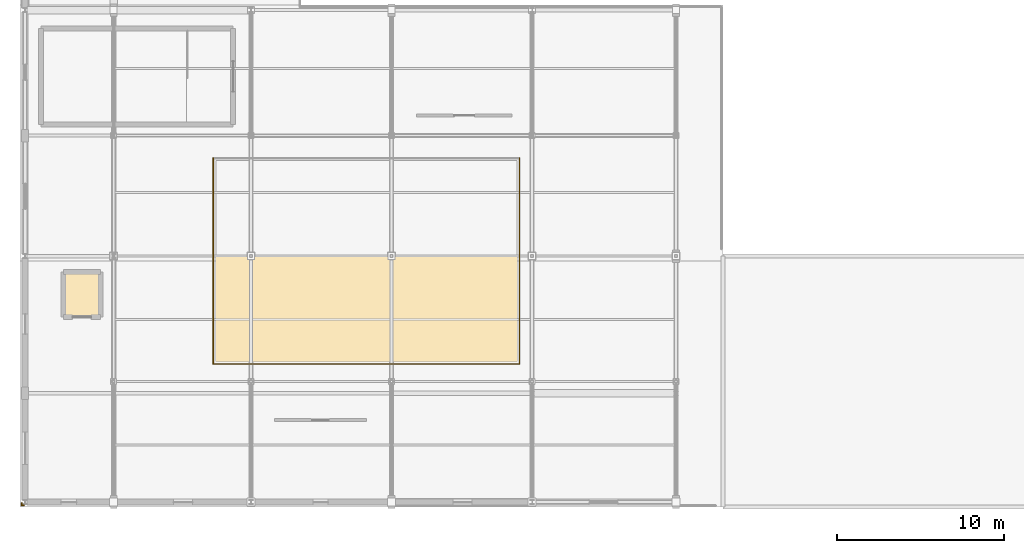
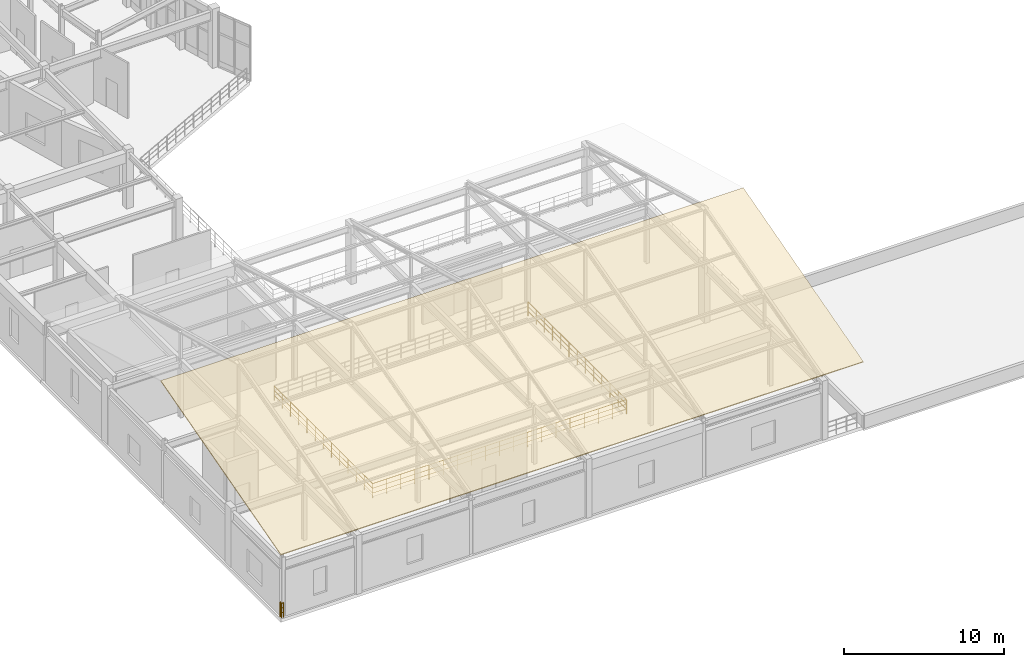
# One storey, part 100 of 112: 5 railings, 1 covering, 1 element without a shape of its own.
"""IFC4 building model written with IfcOpenShell, lengths in metres."""

from ifc_helpers import new_model, si_unit, direction, frame, origin, origin_2d, place, context, subcontext, project, spatial, polyline, circle, outline, extrude, material, layer, layer_set, type_object, element, aggregate, save


model = new_model("IFC4")

# Units and contexts
model_context = context("Model", 3, precision=1e-05, world=origin(), true_north=direction((0.0, 1.0)))
body_context = subcontext(model_context, "Body", "Model", "MODEL_VIEW")
ifc_project = project(units=[si_unit("LENGTHUNIT", "METRE"), si_unit("AREAUNIT", "SQUARE_METRE"), si_unit("VOLUMEUNIT", "CUBIC_METRE"), si_unit("PLANEANGLEUNIT", "RADIAN"), si_unit("MASSUNIT", "GRAM", prefix="KILO")], contexts=[model_context])

# Site, building, storey
site_placement = place(None, origin())
site = spatial("IfcSite", under=ifc_project, at=site_placement, CompositionType="ELEMENT")
building_placement = place(site_placement, origin())
building = spatial("IfcBuilding", under=site, at=building_placement, Name="Cinderbank Siding Concert Hall", CompositionType="ELEMENT")
storey_placement = place(building_placement, frame((0.0, 0.0, 10.199951171875)))
storey = spatial("IfcBuildingStorey", under=building, at=storey_placement, Name="L03", CompositionType="ELEMENT", Elevation=10.199951171875)

# Railings
ifc_material_1 = material(Name="Spotted gum glulam timber GL18 (42 MPa)", Category="wood")
railing_type_1 = type_object("IfcRailingType", Name="BAL-01 Auditorium Tier Balustrade 1120mm", PredefinedType="BALUSTRADE", material=ifc_material_1)
railing_1_placement = place(storey_placement, frame((18.35009765625, 14.35009765625, 0.0)))
element("IfcRailing", 1, at=railing_1_placement, inside=storey, type_object=railing_type_1, Name="L03 CH Gallery Balustrade 0", PredefinedType="BALUSTRADE", context=body_context, shape_type="SweptSolid", body=[
    extrude(circle(Radius=0.02392578125, at=origin_2d()), frame((0.0, 0.0, 1.09619140625), z_axis=(1.0, 0.0, 0.0), x_axis=(0.0, 1.0, 0.0)), (0.0, 0.0, 1.0), 18.2998046875),
    extrude(circle(Radius=0.01611328125, at=origin_2d()), frame((0.0, 0.0, 0.36962890625), z_axis=(1.0, 0.0, 0.0), x_axis=(0.0, 1.0, 0.0)), (0.0, 0.0, 1.0), 18.2998046875),
    extrude(circle(Radius=0.01611328125, at=origin_2d()), frame((0.0, 0.0, 0.7392578125), z_axis=(1.0, 0.0, 0.0), x_axis=(0.0, 1.0, 0.0)), (0.0, 0.0, 1.0), 18.2998046875),
    extrude(circle(Radius=0.02099609375, at=origin_2d()), origin(), (0.0, 0.0, 1.0), 1.072021484375),
    extrude(circle(Radius=0.02099609375, at=origin_2d()), frame((1.0166015625, 0.0, 0.0)), (0.0, 0.0, 1.0), 1.072021484375),
    extrude(circle(Radius=0.02099609375, at=origin_2d()), frame((2.033203125, 0.0, 0.0)), (0.0, 0.0, 1.0), 1.072021484375),
    extrude(circle(Radius=0.02099609375, at=origin_2d()), frame((3.050048828125, 0.0, 0.0)), (0.0, 0.0, 1.0), 1.072021484375),
    extrude(circle(Radius=0.02099609375, at=origin_2d()), frame((4.066650390625, 0.0, 0.0)), (0.0, 0.0, 1.0), 1.072021484375),
    extrude(circle(Radius=0.02099609375, at=origin_2d()), frame((5.083251953125, 0.0, 0.0)), (0.0, 0.0, 1.0), 1.072021484375),
    extrude(circle(Radius=0.02099609375, at=origin_2d()), frame((6.099853515625, 0.0, 0.0)), (0.0, 0.0, 1.0), 1.072021484375),
    extrude(circle(Radius=0.02099609375, at=origin_2d()), frame((7.11669921875, 0.0, 0.0)), (0.0, 0.0, 1.0), 1.072021484375),
    extrude(circle(Radius=0.02099609375, at=origin_2d()), frame((8.13330078125, 0.0, 0.0)), (0.0, 0.0, 1.0), 1.072021484375),
    extrude(circle(Radius=0.02099609375, at=origin_2d()), frame((9.14990234375, 0.0, 0.0)), (0.0, 0.0, 1.0), 1.072021484375),
    extrude(circle(Radius=0.02099609375, at=origin_2d()), frame((10.16650390625, 0.0, 0.0)), (0.0, 0.0, 1.0), 1.072021484375),
    extrude(circle(Radius=0.02099609375, at=origin_2d()), frame((11.18310546875, 0.0, 0.0)), (0.0, 0.0, 1.0), 1.072021484375),
    extrude(circle(Radius=0.02099609375, at=origin_2d()), frame((12.199951171875, 0.0, 0.0)), (0.0, 0.0, 1.0), 1.072021484375),
    extrude(circle(Radius=0.02099609375, at=origin_2d()), frame((13.216552734375, 0.0, 0.0)), (0.0, 0.0, 1.0), 1.072021484375),
    extrude(circle(Radius=0.02099609375, at=origin_2d()), frame((14.233154296875, 0.0, 0.0)), (0.0, 0.0, 1.0), 1.072021484375),
    extrude(circle(Radius=0.02099609375, at=origin_2d()), frame((15.249755859375, 0.0, 0.0)), (0.0, 0.0, 1.0), 1.072021484375),
    extrude(circle(Radius=0.02099609375, at=origin_2d()), frame((16.2666015625, 0.0, 0.0)), (0.0, 0.0, 1.0), 1.072021484375),
    extrude(circle(Radius=0.02099609375, at=origin_2d()), frame((17.283203125, 0.0, 0.0)), (0.0, 0.0, 1.0), 1.072021484375),
    extrude(circle(Radius=0.02099609375, at=origin_2d()), frame((18.2998046875, 0.0, 0.0)), (0.0, 0.0, 1.0), 1.072021484375),
])
railing_2_placement = place(storey_placement, frame((36.64990234375, 14.35009765625, 0.0)))
element("IfcRailing", 2, at=railing_2_placement, inside=storey, type_object=railing_type_1, Name="L03 CH Gallery Balustrade 1", PredefinedType="BALUSTRADE", context=body_context, shape_type="SweptSolid", body=[
    extrude(circle(Radius=0.02392578125, at=origin_2d()), frame((0.0, 0.0, 1.09619140625), z_axis=(0.0, 1.0, 0.0), x_axis=(-1.0, 0.0, 0.0)), (0.0, 0.0, 1.0), 12.2998046875),
    extrude(circle(Radius=0.01611328125, at=origin_2d()), frame((0.0, 0.0, 0.36962890625), z_axis=(0.0, 1.0, 0.0), x_axis=(-1.0, 0.0, 0.0)), (0.0, 0.0, 1.0), 12.2998046875),
    extrude(circle(Radius=0.01611328125, at=origin_2d()), frame((0.0, 0.0, 0.7392578125), z_axis=(0.0, 1.0, 0.0), x_axis=(-1.0, 0.0, 0.0)), (0.0, 0.0, 1.0), 12.2998046875),
    extrude(circle(Radius=0.02099609375, at=origin_2d()), origin(), (0.0, 0.0, 1.0), 1.072021484375),
    extrude(circle(Radius=0.02099609375, at=origin_2d()), frame((0.0, 1.02490234375, 0.0)), (0.0, 0.0, 1.0), 1.072021484375),
    extrude(circle(Radius=0.02099609375, at=origin_2d()), frame((0.0, 2.050048828125, 0.0)), (0.0, 0.0, 1.0), 1.072021484375),
    extrude(circle(Radius=0.02099609375, at=origin_2d()), frame((0.0, 3.074951171875, 0.0)), (0.0, 0.0, 1.0), 1.072021484375),
    extrude(circle(Radius=0.02099609375, at=origin_2d()), frame((0.0, 4.099853515625, 0.0)), (0.0, 0.0, 1.0), 1.072021484375),
    extrude(circle(Radius=0.02099609375, at=origin_2d()), frame((0.0, 5.125, 0.0)), (0.0, 0.0, 1.0), 1.072021484375),
    extrude(circle(Radius=0.02099609375, at=origin_2d()), frame((0.0, 6.14990234375, 0.0)), (0.0, 0.0, 1.0), 1.072021484375),
    extrude(circle(Radius=0.02099609375, at=origin_2d()), frame((0.0, 7.1748046875, 0.0)), (0.0, 0.0, 1.0), 1.072021484375),
    extrude(circle(Radius=0.02099609375, at=origin_2d()), frame((0.0, 8.199951171875, 0.0)), (0.0, 0.0, 1.0), 1.072021484375),
    extrude(circle(Radius=0.02099609375, at=origin_2d()), frame((0.0, 9.224853515625, 0.0)), (0.0, 0.0, 1.0), 1.072021484375),
    extrude(circle(Radius=0.02099609375, at=origin_2d()), frame((0.0, 10.249755859375, 0.0)), (0.0, 0.0, 1.0), 1.072021484375),
    extrude(circle(Radius=0.02099609375, at=origin_2d()), frame((0.0, 11.27490234375, 0.0)), (0.0, 0.0, 1.0), 1.072021484375),
    extrude(circle(Radius=0.02099609375, at=origin_2d()), frame((0.0, 12.2998046875, 0.0)), (0.0, 0.0, 1.0), 1.072021484375),
])
railing_3_placement = place(storey_placement, frame((18.35009765625, 26.64990234375, 0.0)))
element("IfcRailing", 3, at=railing_3_placement, inside=storey, type_object=railing_type_1, Name="L03 CH Gallery Balustrade 3", PredefinedType="BALUSTRADE", context=body_context, shape_type="SweptSolid", body=[
    extrude(circle(Radius=0.02392578125, at=origin_2d()), frame((0.0, 0.0, 1.09619140625), z_axis=(0.0, -1.0, 0.0), x_axis=(1.0, 0.0, 0.0)), (0.0, 0.0, 1.0), 12.2998046875),
    extrude(circle(Radius=0.01611328125, at=origin_2d()), frame((0.0, 0.0, 0.36962890625), z_axis=(0.0, -1.0, 0.0), x_axis=(1.0, 0.0, 0.0)), (0.0, 0.0, 1.0), 12.2998046875),
    extrude(circle(Radius=0.01611328125, at=origin_2d()), frame((0.0, 0.0, 0.7392578125), z_axis=(0.0, -1.0, 0.0), x_axis=(1.0, 0.0, 0.0)), (0.0, 0.0, 1.0), 12.2998046875),
    extrude(circle(Radius=0.02099609375, at=origin_2d()), origin(), (0.0, 0.0, 1.0), 1.072021484375),
    extrude(circle(Radius=0.02099609375, at=origin_2d()), frame((0.0, -1.02490234375, 0.0)), (0.0, 0.0, 1.0), 1.072021484375),
    extrude(circle(Radius=0.02099609375, at=origin_2d()), frame((0.0, -2.050048828125, 0.0)), (0.0, 0.0, 1.0), 1.072021484375),
    extrude(circle(Radius=0.02099609375, at=origin_2d()), frame((0.0, -3.074951171875, 0.0)), (0.0, 0.0, 1.0), 1.072021484375),
    extrude(circle(Radius=0.02099609375, at=origin_2d()), frame((0.0, -4.099853515625, 0.0)), (0.0, 0.0, 1.0), 1.072021484375),
    extrude(circle(Radius=0.02099609375, at=origin_2d()), frame((0.0, -5.125, 0.0)), (0.0, 0.0, 1.0), 1.072021484375),
    extrude(circle(Radius=0.02099609375, at=origin_2d()), frame((0.0, -6.14990234375, 0.0)), (0.0, 0.0, 1.0), 1.072021484375),
    extrude(circle(Radius=0.02099609375, at=origin_2d()), frame((0.0, -7.1748046875, 0.0)), (0.0, 0.0, 1.0), 1.072021484375),
    extrude(circle(Radius=0.02099609375, at=origin_2d()), frame((0.0, -8.199951171875, 0.0)), (0.0, 0.0, 1.0), 1.072021484375),
    extrude(circle(Radius=0.02099609375, at=origin_2d()), frame((0.0, -9.224853515625, 0.0)), (0.0, 0.0, 1.0), 1.072021484375),
    extrude(circle(Radius=0.02099609375, at=origin_2d()), frame((0.0, -10.249755859375, 0.0)), (0.0, 0.0, 1.0), 1.072021484375),
    extrude(circle(Radius=0.02099609375, at=origin_2d()), frame((0.0, -11.27490234375, 0.0)), (0.0, 0.0, 1.0), 1.072021484375),
    extrude(circle(Radius=0.02099609375, at=origin_2d()), frame((0.0, -12.2998046875, 0.0)), (0.0, 0.0, 1.0), 1.072021484375),
])
ifc_material_2 = material(Name="Structural steel AS/NZS 3679.1 Grade 350 (340 MPa)", Category="steel")
railing_type_2 = type_object("IfcRailingType", Name="GD-01 Terrace & Perimeter Guardrail 1120mm", PredefinedType="GUARDRAIL", material=ifc_material_2)
railing_4_placement = place(storey_placement, frame((7.0458984375, 5.89990234375, 0.0)))
element("IfcRailing", 4, at=railing_4_placement, inside=storey, type_object=railing_type_2, Name="L03 Perimeter Guardrail #80", PredefinedType="GUARDRAIL", context=body_context, shape_type="SweptSolid", body=[
    extrude(circle(Radius=0.02392578125, at=origin_2d()), frame((0.0, 0.0, 1.09619140625), z_axis=(-1.0, 0.0, 0.0), x_axis=(0.0, -1.0, 0.0)), (0.0, 0.0, 1.0), 0.14599609375),
    extrude(circle(Radius=0.01611328125, at=origin_2d()), frame((0.0, 0.0, 0.36962890625), z_axis=(-1.0, 0.0, 0.0), x_axis=(0.0, -1.0, 0.0)), (0.0, 0.0, 1.0), 0.14599609375),
    extrude(circle(Radius=0.01611328125, at=origin_2d()), frame((0.0, 0.0, 0.7392578125), z_axis=(-1.0, 0.0, 0.0), x_axis=(0.0, -1.0, 0.0)), (0.0, 0.0, 1.0), 0.14599609375),
    extrude(circle(Radius=0.02099609375, at=origin_2d()), origin(), (0.0, 0.0, 1.0), 1.072021484375),
    extrude(circle(Radius=0.02099609375, at=origin_2d()), frame((-0.14599609375, 0.0, 0.0)), (0.0, 0.0, 1.0), 1.072021484375),
])
railing_5_placement = place(storey_placement, frame((6.89990234375, 5.89990234375, 0.0)))
element("IfcRailing", 5, at=railing_5_placement, inside=storey, type_object=railing_type_2, Name="L03 Perimeter Guardrail #81", PredefinedType="GUARDRAIL", context=body_context, shape_type="SweptSolid", body=[
    extrude(circle(Radius=0.02392578125, at=origin_2d()), frame((0.0, 0.0, 1.09619140625), z_axis=(0.0, 1.0, 0.0), x_axis=(-1.0, 0.0, 0.0)), (0.0, 0.0, 1.0), 0.14599609375),
    extrude(circle(Radius=0.01611328125, at=origin_2d()), frame((0.0, 0.0, 0.36962890625), z_axis=(0.0, 1.0, 0.0), x_axis=(-1.0, 0.0, 0.0)), (0.0, 0.0, 1.0), 0.14599609375),
    extrude(circle(Radius=0.01611328125, at=origin_2d()), frame((0.0, 0.0, 0.7392578125), z_axis=(0.0, 1.0, 0.0), x_axis=(-1.0, 0.0, 0.0)), (0.0, 0.0, 1.0), 0.14599609375),
    extrude(circle(Radius=0.02099609375, at=origin_2d()), origin(), (0.0, 0.0, 1.0), 1.072021484375),
    extrude(circle(Radius=0.02099609375, at=origin_2d()), frame((0.0, 0.14599609375, 0.0)), (0.0, 0.0, 1.0), 1.072021484375),
])

# Roof, covering
ifc_material_3 = material(Name="Patinated sheet copper roofing", Category="metal")
roof_type = type_object("IfcRoofType", Name="RF-GB1 Chamber Pitched Copper Roof", PredefinedType="GABLE_ROOF", material=ifc_material_3)
roof_placement = place(storey_placement, origin())
roof = element("IfcRoof", 6, at=roof_placement, inside=storey, type_object=roof_type, Name="Chamber Music Hall Pitched Copper Roof", PredefinedType="GABLE_ROOF")
ifc_layer = layer(ifc_material_3, 0.080078125)
ifc_layer_set = layer_set([ifc_layer], Name="Patinated sheet copper roofing")
covering_type = type_object("IfcCoveringType", Name="RC-01 Standing Seam Copper Roofing", PredefinedType="ROOFING", material=ifc_layer_set)
covering_placement = place(storey_placement, frame((6.800048828125, 5.800048828125, 4.920166015625), z_axis=(0.0, -0.267240997782, 0.963629726142), x_axis=(1.0, 0.0, 0.0)))
covering = element("IfcCovering", 7, at=covering_placement, type_object=covering_type, Name="Chamber Pitched Copper Slope S", PredefinedType="ROOFING", context=body_context, shape_type="SweptSolid", body=[
    extrude(outline(polyline([(0.0, 0.0), (42.0, 0.0), (42.0, 15.566144954924606), (0.0, 15.566144954924606), (0.0, 0.0)])), origin(), (0.0, 0.0, -1.0), 0.080078125),
])
aggregate(roof, [covering])

save(model, "model.ifc")
